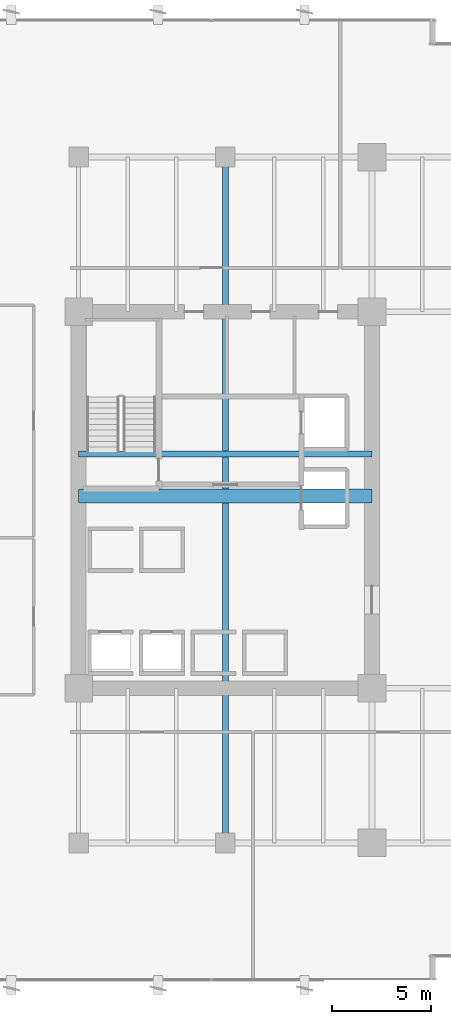
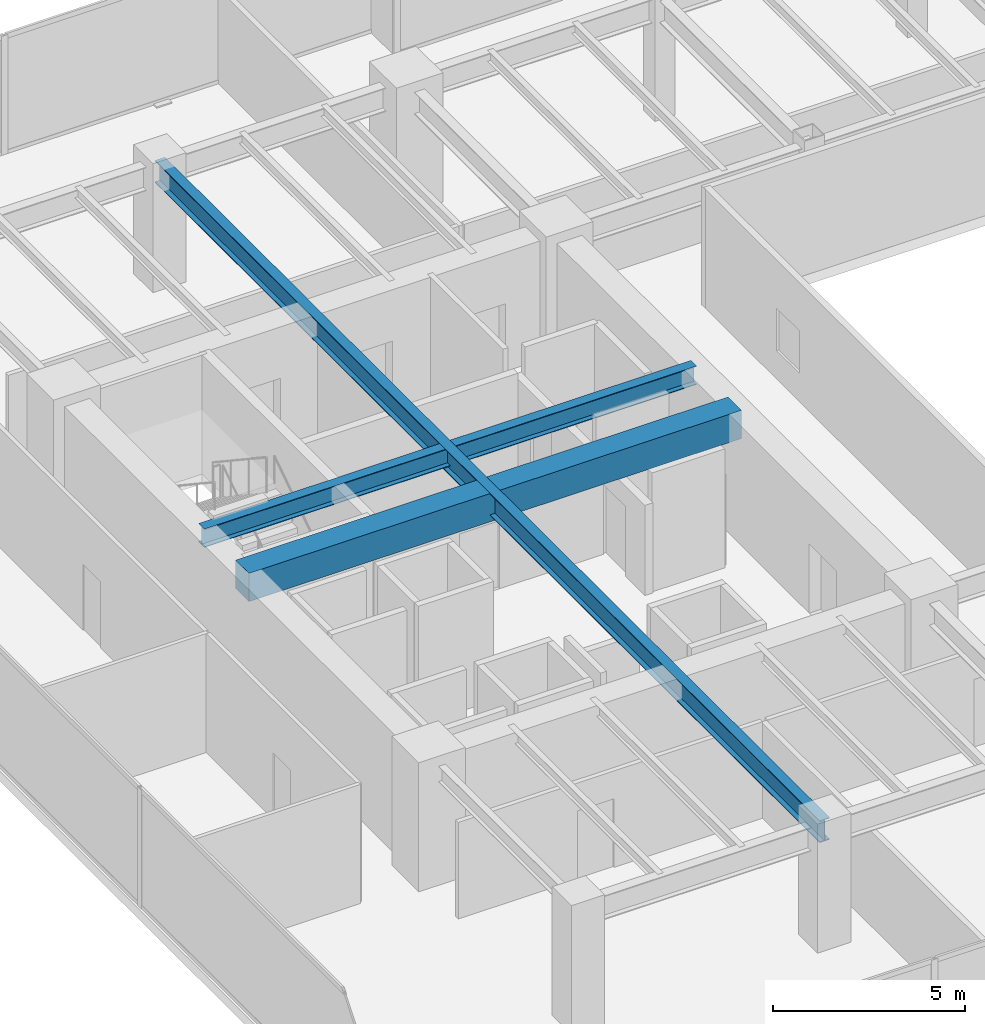
# One storey, part 7 of 36: 3 beams.
"""IFC4 building model written with IfcOpenShell, lengths in metres."""

from ifc_helpers import new_model, si_unit, direction, frame, origin, origin_2d, place, context, subcontext, project, spatial, rectangle, i_section, extrude, source, transform, mapped, material, material_profile, profile_set, type_object, type_shapes, element, save


model = new_model("IFC4")

# Units and contexts
model_context = context("Model", 3, precision=1e-05, world=origin(), true_north=direction((0.0, 1.0)))
body_context = subcontext(model_context, "Body", "Model", "MODEL_VIEW")
ifc_project = project(units=[si_unit("LENGTHUNIT", "METRE"), si_unit("AREAUNIT", "SQUARE_METRE"), si_unit("VOLUMEUNIT", "CUBIC_METRE"), si_unit("PLANEANGLEUNIT", "RADIAN"), si_unit("MASSUNIT", "GRAM", prefix="KILO")], contexts=[model_context])

# Site, building, storey
site_placement = place(None, origin())
site = spatial("IfcSite", under=ifc_project, at=site_placement, CompositionType="ELEMENT")
building_placement = place(site_placement, origin())
building = spatial("IfcBuilding", under=site, at=building_placement, Name="Haelvirn Gate Laboratories", CompositionType="ELEMENT")
storey_placement = place(building_placement, frame((0.0, 0.0, 29.300048828125)))
storey = spatial("IfcBuildingStorey", under=building, at=storey_placement, Name="L07", CompositionType="ELEMENT", Elevation=29.300048828125)

# Beams
ifc_material_1 = material(Name="Concrete C60/75", Category="concrete")
ifc_material_profile_1 = material_profile(ifc_material_1, rectangle(XDim=0.699951171875, YDim=0.89990234375, at=origin_2d()), Name="RCB-700x900")
ifc_profile_set_1 = profile_set([ifc_material_profile_1], Name="Concrete C60/75")
beam_type_1 = type_object("IfcBeamType", Name="BM-RCB-900", PredefinedType="LINTEL", material=ifc_profile_set_1)
shared_shape_1 = source(origin(), body_context, "Body", "SweptSolid", [
    extrude(rectangle(XDim=0.699951171875, YDim=0.89990234375, at=origin_2d()), origin(), (0.0, 0.0, 1.0), 14.800048828125),
])
type_shapes(beam_type_1, [shared_shape_1])
beam_1_placement = place(storey_placement, frame((7.39990234375, 24.5, 3.329833984375), z_axis=(1.0, 0.0, 0.0), x_axis=(0.0, 1.0, 0.0)))
element("IfcBeam", 1, at=beam_1_placement, inside=storey, type_object=beam_type_1, Name="L07 West Core Coupling Beam", PredefinedType="LINTEL", context=body_context, shape_type="MappedRepresentation", body=[
    mapped(shared_shape_1, transform((0.0, 0.0, 0.0), scale=1.0)),
])
ifc_material_2 = material(Name="Steel SM355", Category="steel")
ifc_material_profile_2 = material_profile(ifc_material_2, i_section(OverallWidth=0.300048828125, OverallDepth=0.587890625, WebThickness=0.011962890625, FlangeThickness=0.02001953125, at=origin_2d()), Name="H-588x300x12x20")
ifc_profile_set_2 = profile_set([ifc_material_profile_2], Name="Steel SM355")
beam_type_2 = type_object("IfcBeamType", Name="BM-G-588", PredefinedType="BEAM", material=ifc_profile_set_2)
shared_shape_2 = source(origin(), body_context, "Body", "SweptSolid", [
    extrude(i_section(OverallWidth=0.300048828125, OverallDepth=0.587890625, WebThickness=0.011962890625, FlangeThickness=0.02001953125, at=origin_2d()), origin(), (0.0, 0.0, 1.0), 14.800048828125),
])
type_shapes(beam_type_2, [shared_shape_2])
beam_2_placement = place(storey_placement, frame((7.39990234375, 26.6201171875, 3.48583984375), z_axis=(1.0, 0.0, 0.0), x_axis=(0.0, 1.0, 0.0)))
element("IfcBeam", 2, at=beam_2_placement, inside=storey, type_object=beam_type_2, Name="L07 Stair ST1 Landing Header", PredefinedType="BEAM", context=body_context, shape_type="MappedRepresentation", body=[
    mapped(shared_shape_2, transform((0.0, 0.0, 0.0), scale=1.0)),
])
ifc_material_profile_3 = material_profile(ifc_material_2, i_section(OverallWidth=0.300048828125, OverallDepth=0.699951171875, WebThickness=0.012939453125, FlangeThickness=0.02392578125, at=origin_2d()), Name="H-700x300x13x24")
ifc_profile_set_3 = profile_set([ifc_material_profile_3], Name="Steel SM355")
beam_type_3 = type_object("IfcBeamType", Name="BM-G-700", PredefinedType="BEAM", material=ifc_profile_set_3)
shared_shape_3 = source(origin(), body_context, "Body", "SweptSolid", [
    extrude(i_section(OverallWidth=0.300048828125, OverallDepth=0.699951171875, WebThickness=0.012939453125, FlangeThickness=0.02392578125, at=origin_2d()), origin(), (0.0, 0.0, 1.0), 34.60009765625),
])
type_shapes(beam_type_3, [shared_shape_3])
beam_3_placement = place(storey_placement, frame((14.800048828125, 7.0, 3.429931640625), z_axis=(0.0, 1.0, 0.0), x_axis=(-1.0, 0.0, 0.0)))
element("IfcBeam", 3, at=beam_3_placement, inside=storey, type_object=beam_type_3, Name="L07 Frame Girder X14.8 (7.0-41.6)", PredefinedType="BEAM", context=body_context, shape_type="MappedRepresentation", body=[
    mapped(shared_shape_3, transform((0.0, 0.0, 0.0), scale=1.0)),
])

save(model, "model.ifc")
